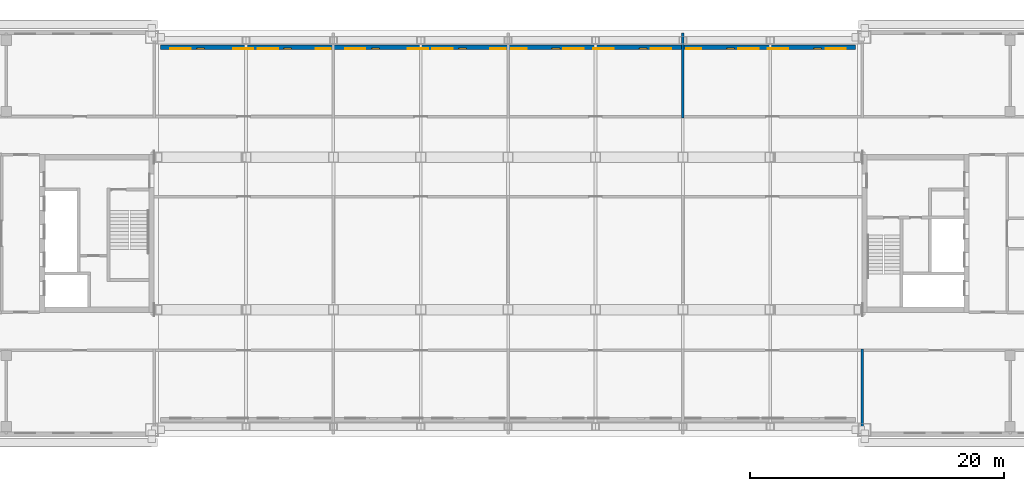
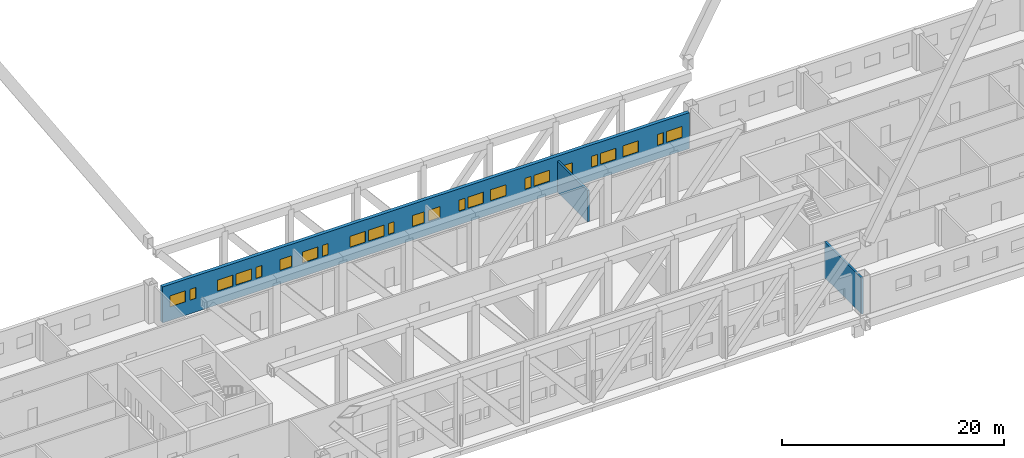
# One storey, part 10 of 17: 24 windows, 3 walls, 24 openings.
"""IFC4 building model written with IfcOpenShell, lengths in metres."""

import ifcopenshell
import ifcopenshell.guid

model = None  # the IFC model being written
_history = None  # IfcOwnerHistory: only IFC2X3 demands one
_inside = {}  # id of a spatial element -> (the spatial element, [elements in it])
_under = {}  # id of a project, library or spatial element -> (it, [spatial elements below it])
_declared = {}  # id of a project -> (the project, [libraries it declares])
_typed = {}  # id of a type object -> (the type object, [elements of that type])
_made_of = {}  # id of a material, layer set ... -> (it, [elements and type objects made of it])


def new_model(schema):
    """Start an empty IFC model of exactly this schema.

    Asked for "IFC4X3", IfcOpenShell would pick the latest addendum, in which some entities
    have other attributes; the version numbers below select the first issue.
    IFC2X3 requires an IfcOwnerHistory on every rooted entity: one is made here for all.
    """
    global model, _history
    if schema == "IFC4X3":
        model = ifcopenshell.file(schema_version=(4, 3, 0, 0))
    else:
        model = ifcopenshell.file(schema=schema)
    _inside.clear()
    _under.clear()
    _declared.clear()
    _typed.clear()
    _made_of.clear()
    _history = None
    if model.schema == "IFC2X3":
        org = make("IfcOrganization", Name="unknown")
        user = make(
            "IfcPersonAndOrganization",
            ThePerson=make("IfcPerson", FamilyName="unknown"),
            TheOrganization=org,
        )
        app = make(
            "IfcApplication",
            ApplicationDeveloper=org,
            Version="unknown",
            ApplicationFullName="unknown",
            ApplicationIdentifier="unknown",
        )
        _history = make(
            "IfcOwnerHistory",
            OwningUser=user,
            OwningApplication=app,
            ChangeAction="ADDED",
            CreationDate=0,
        )
    return model


def make(cls, **values):
    """One entity of the class cls with the attributes given. An attribute that is None is left unset."""
    return model.create_entity(
        cls, **{name: value for name, value in values.items() if value is not None}
    )


def rooted(cls, **values):
    """An entity with a GlobalId (a new one), such as an element, a storey or a relation."""
    return make(cls, GlobalId=ifcopenshell.guid.new(), OwnerHistory=_history, **values)


def si_unit(unit_type, name, prefix=None):
    """IfcSIUnit, for example si_unit("LENGTHUNIT", "METRE", prefix="MILLI")."""
    return make("IfcSIUnit", UnitType=unit_type, Prefix=prefix, Name=name)


def assignment(units):
    """IfcUnitAssignment: the units of a project."""
    return None if units is None else make("IfcUnitAssignment", Units=units)


def point(xyz):
    """IfcCartesianPoint."""
    return None if xyz is None else make("IfcCartesianPoint", Coordinates=xyz)


def direction(xyz):
    """IfcDirection."""
    return None if xyz is None else make("IfcDirection", DirectionRatios=xyz)


def frame(location, z_axis=None, x_axis=None):
    """IfcAxis2Placement3D, a coordinate frame: its origin and axes. An axis left out is left unset."""
    return make(
        "IfcAxis2Placement3D",
        Location=point(location),
        Axis=direction(z_axis),
        RefDirection=direction(x_axis),
    )


def frame_2d(location, x_axis=None):
    """IfcAxis2Placement2D, a coordinate frame in the plane: its origin and x axis."""
    return make(
        "IfcAxis2Placement2D", Location=point(location), RefDirection=direction(x_axis)
    )


def origin():
    """The frame at (0, 0, 0) with its axes left unset."""
    return frame((0.0, 0.0, 0.0))


def place(relative_to, where):
    """IfcLocalPlacement: puts the frame where relative to a parent placement (None: the world)."""
    return make(
        "IfcLocalPlacement", PlacementRelTo=relative_to, RelativePlacement=where
    )


def context(
    kind, dimensions, precision=None, world=None, true_north=None, identifier=None
):
    """IfcGeometricRepresentationContext, for example the 3D "Model" context."""
    return make(
        "IfcGeometricRepresentationContext",
        ContextIdentifier=identifier,
        ContextType=kind,
        CoordinateSpaceDimension=dimensions,
        Precision=precision,
        WorldCoordinateSystem=world,
        TrueNorth=true_north,
    )


def subcontext(parent, identifier, kind, view, scale=None):
    """IfcGeometricRepresentationSubContext, for example "Body" below "Model"."""
    return make(
        "IfcGeometricRepresentationSubContext",
        ContextIdentifier=identifier,
        ContextType=kind,
        ParentContext=parent,
        TargetScale=scale,
        TargetView=view,
    )


def project(units=None, contexts=None):
    """IfcProject with its units and contexts."""
    return rooted(
        "IfcProject",
        Name="project",
        RepresentationContexts=contexts,
        UnitsInContext=assignment(units),
    )


def spatial(cls, under=None, at=None, **own):
    """A site, building, storey or space (cls), placed at a placement, below another one or the project."""
    s = rooted(cls, ObjectPlacement=at, **own)
    if under is not None:
        _under.setdefault(under.id(), (under, []))[1].append(s)
    return s


def profile(cls, at=None, kind="AREA", **sizes):
    """A parametric profile (cls). Its sizes go by their IFC names, for example OverallWidth=200.0."""
    return make(cls, ProfileType=kind, Position=at, **sizes)


def rectangle(**sizes):
    """IfcRectangleProfileDef."""
    return profile("IfcRectangleProfileDef", **sizes)


def extrude(swept, where, along, depth):
    """IfcExtrudedAreaSolid: the profile swept, set in the frame where, extruded along a direction by depth."""
    return make(
        "IfcExtrudedAreaSolid",
        SweptArea=swept,
        Position=where,
        ExtrudedDirection=direction(along),
        Depth=depth,
    )


def shape(context_of_items, identifier, shape_type, items):
    """IfcShapeRepresentation: the items that make up one representation, for example the "Body"."""
    return make(
        "IfcShapeRepresentation",
        ContextOfItems=context_of_items,
        RepresentationIdentifier=identifier,
        RepresentationType=shape_type,
        Items=items,
    )


def material(Name=None, Category=None):
    """IfcMaterial."""
    return make("IfcMaterial", Name=Name, Category=Category)


def layer(
    of_material, thickness, ventilated=None, Name=None, Category=None, Priority=None
):
    """IfcMaterialLayer: one layer of a wall or slab, of a material (None: an air gap)."""
    return make(
        "IfcMaterialLayer",
        Material=of_material,
        LayerThickness=thickness,
        IsVentilated=ventilated,
        Name=Name,
        Category=Category,
        Priority=Priority,
    )


def layer_set(layers, Name=None):
    """IfcMaterialLayerSet."""
    return make("IfcMaterialLayerSet", MaterialLayers=layers, LayerSetName=Name)


def made_of(thing, what):
    """Note that an element or type object is made of a material, layer set ...; save() writes the relation."""
    if what is not None:
        _made_of.setdefault(what.id(), (what, []))[1].append(thing)
    return thing


def type_object(cls, material=None, **own):
    """A type object (cls), such as IfcWallType, which elements share."""
    return made_of(rooted(cls, **own), material)


def element(
    cls,
    number,
    at=None,
    inside=None,
    cuts=None,
    type_object=None,
    material=None,
    context=None,
    identifier="Body",
    shape_type=None,
    held_by="IfcProductDefinitionShape",
    body=None,
    shapes=None,
    **own,
):
    """One element of the class cls, such as IfcWall. Its Tag is "e" and its number.

    at: its placement. inside: the storey or other place that contains it. cuts: it is an
    opening in that element (IfcRelVoidsElement). A single representation is given by context,
    identifier, shape_type and body (its items); several are given by shapes. held_by: the class
    of the entity that holds the representations. save() writes the other relations.
    """
    e = rooted(cls, Tag="e%d" % number, ObjectPlacement=at, **own)
    if body is not None:
        shapes = [shape(context, identifier, shape_type, body)]
    if shapes is not None:
        e.Representation = make(held_by, Representations=shapes)
    if inside is not None:
        _inside.setdefault(inside.id(), (inside, []))[1].append(e)
    if cuts is not None:
        rooted(
            "IfcRelVoidsElement", RelatingBuildingElement=cuts, RelatedOpeningElement=e
        )
    if type_object is not None:
        _typed.setdefault(type_object.id(), (type_object, []))[1].append(e)
    return made_of(e, material)


def fill(opening, filler):
    """IfcRelFillsElement: the door or window that sits in an opening."""
    return rooted(
        "IfcRelFillsElement",
        RelatingOpeningElement=opening,
        RelatedBuildingElement=filler,
    )


def aggregate(whole, parts):
    """IfcRelAggregates: a whole, such as a stair, and the parts it consists of."""
    return rooted("IfcRelAggregates", RelatingObject=whole, RelatedObjects=parts)


def save(model, path):
    """Write the relations noted so far, then the file.

    IfcRelAggregates (storeys below a building ...), IfcRelContainedInSpatialStructure (elements
    in a storey), IfcRelDefinesByType, IfcRelAssociatesMaterial and IfcRelDeclares: one each for
    every whole, place, type object, material and project.
    """
    for whole, parts in _under.values():
        aggregate(whole, parts)
    for where, things in _inside.values():
        rooted(
            "IfcRelContainedInSpatialStructure",
            RelatedElements=things,
            RelatingStructure=where,
        )
    for kind, things in _typed.values():
        rooted("IfcRelDefinesByType", RelatedObjects=things, RelatingType=kind)
    for what, things in _made_of.values():
        rooted("IfcRelAssociatesMaterial", RelatedObjects=things, RelatingMaterial=what)
    for by, libraries in _declared.values():
        rooted("IfcRelDeclares", RelatingContext=by, RelatedDefinitions=libraries)
    model.write(path)


model = new_model("IFC4")

# Units and contexts
model_context = context("Model", 3, precision=1e-05, world=origin(), true_north=direction((0.0, 1.0)))
body_context = subcontext(model_context, "Body", "Model", "MODEL_VIEW")
ifc_project = project(units=[si_unit("LENGTHUNIT", "METRE"), si_unit("AREAUNIT", "SQUARE_METRE"), si_unit("VOLUMEUNIT", "CUBIC_METRE"), si_unit("PLANEANGLEUNIT", "RADIAN"), si_unit("MASSUNIT", "GRAM", prefix="KILO")], contexts=[model_context])

# Site, building, storey
site_placement = place(None, origin())
site = spatial("IfcSite", under=ifc_project, at=site_placement, CompositionType="ELEMENT")
building_placement = place(site_placement, origin())
building = spatial("IfcBuilding", under=site, at=building_placement, Name="Tuart Gate Housing", CompositionType="ELEMENT")
storey_placement = place(building_placement, frame((0.0, 0.0, 194.39990234375)))
storey = spatial("IfcBuildingStorey", under=building, at=storey_placement, Name="L55", CompositionType="ELEMENT", Elevation=194.39990234375)

# Wall, openings, windows
ifc_material_1 = material(Name="Brick", Category="masonry")
ifc_layer_1 = layer(ifc_material_1, 0.360107421875)
ifc_layer_set_1 = layer_set([ifc_layer_1], Name="Brick pier and spandrel wall 360")
wall_type_1 = type_object("IfcWallType", Name="Brick pier and spandrel wall 360", PredefinedType="STANDARD", material=ifc_layer_set_1)
wall_1_placement = place(storey_placement, frame((130.85009765625, 84.659912109375, 0.0), z_axis=(0.0, 0.0, 1.0), x_axis=(-1.0, 0.0, 0.0)))
wall_1 = element("IfcWall", 1, at=wall_1_placement, inside=storey, type_object=wall_type_1, Name="External wall BLK-N L55", PredefinedType="STANDARD", context=body_context, shape_type="SweptSolid", body=[
    extrude(rectangle(XDim=54.7001953125, YDim=0.360107421875, at=frame_2d((27.35009765625, 0.0))), origin(), (0.0, 0.0, 1.0), 3.9501953125),
])
opening_1_placement = place(wall_1_placement, frame((0.768798828125, 0.0, 1.5)))
opening_1 = element("IfcOpeningElement", 2, at=opening_1_placement, cuts=wall_1, Name="Opening W3", PredefinedType="OPENING", context=body_context, shape_type="SweptSolid", body=[
    extrude(rectangle(XDim=1.60009765625, YDim=1.199951171875, at=frame_2d((0.800048828125, 0.60009765625))), frame((0.0, 0.18994140625, 0.0), z_axis=(0.0, -1.0, 0.0), x_axis=(1.0, 0.0, 0.0)), (0.0, 0.0, 1.0), 0.380126953125),
])
opening_2_placement = place(wall_1_placement, frame((2.699951171875, 0.0, 1.5)))
opening_2 = element("IfcOpeningElement", 3, at=opening_2_placement, cuts=wall_1, Name="Opening W3C", PredefinedType="OPENING", context=body_context, shape_type="SweptSolid", body=[
    extrude(rectangle(XDim=0.60009765625, YDim=1.199951171875, at=frame_2d((0.300048828125, 0.60009765625))), frame((0.0, 0.18994140625, 0.0), z_axis=(0.0, -1.0, 0.0), x_axis=(1.0, 0.0, 0.0)), (0.0, 0.0, 1.0), 0.380126953125),
])
opening_3_placement = place(wall_1_placement, frame((7.643798828125, 0.0, 1.5)))
opening_3 = element("IfcOpeningElement", 4, at=opening_3_placement, cuts=wall_1, Name="Opening W3", PredefinedType="OPENING", context=body_context, shape_type="SweptSolid", body=[
    extrude(rectangle(XDim=1.60009765625, YDim=1.199951171875, at=frame_2d((0.800048828125, 0.60009765625))), frame((0.0, 0.18994140625, 0.0), z_axis=(0.0, -1.0, 0.0), x_axis=(1.0, 0.0, 0.0)), (0.0, 0.0, 1.0), 0.380126953125),
])
opening_4_placement = place(wall_1_placement, frame((5.300048828125, 0.0, 1.5)))
opening_4 = element("IfcOpeningElement", 5, at=opening_4_placement, cuts=wall_1, Name="Opening W3", PredefinedType="OPENING", context=body_context, shape_type="SweptSolid", body=[
    extrude(rectangle(XDim=1.60009765625, YDim=1.199951171875, at=frame_2d((0.800048828125, 0.60009765625))), frame((0.0, 0.18994140625, 0.0), z_axis=(0.0, -1.0, 0.0), x_axis=(1.0, 0.0, 0.0)), (0.0, 0.0, 1.0), 0.380126953125),
])
opening_5_placement = place(wall_1_placement, frame((14.518798828125, 0.0, 1.5)))
opening_5 = element("IfcOpeningElement", 6, at=opening_5_placement, cuts=wall_1, Name="Opening W3", PredefinedType="OPENING", context=body_context, shape_type="SweptSolid", body=[
    extrude(rectangle(XDim=1.60009765625, YDim=1.199951171875, at=frame_2d((0.800048828125, 0.60009765625))), frame((0.0, 0.18994140625, 0.0), z_axis=(0.0, -1.0, 0.0), x_axis=(1.0, 0.0, 0.0)), (0.0, 0.0, 1.0), 0.380126953125),
])
opening_6_placement = place(wall_1_placement, frame((16.449951171875, 0.0, 1.5)))
opening_6 = element("IfcOpeningElement", 7, at=opening_6_placement, cuts=wall_1, Name="Opening W3C", PredefinedType="OPENING", context=body_context, shape_type="SweptSolid", body=[
    extrude(rectangle(XDim=0.60009765625, YDim=1.199951171875, at=frame_2d((0.300048828125, 0.60009765625))), frame((0.0, 0.18994140625, 0.0), z_axis=(0.0, -1.0, 0.0), x_axis=(1.0, 0.0, 0.0)), (0.0, 0.0, 1.0), 0.380126953125),
])
opening_7_placement = place(wall_1_placement, frame((21.393798828125, 0.0, 1.5)))
opening_7 = element("IfcOpeningElement", 8, at=opening_7_placement, cuts=wall_1, Name="Opening W3", PredefinedType="OPENING", context=body_context, shape_type="SweptSolid", body=[
    extrude(rectangle(XDim=1.60009765625, YDim=1.199951171875, at=frame_2d((0.800048828125, 0.60009765625))), frame((0.0, 0.18994140625, 0.0), z_axis=(0.0, -1.0, 0.0), x_axis=(1.0, 0.0, 0.0)), (0.0, 0.0, 1.0), 0.380126953125),
])
opening_8_placement = place(wall_1_placement, frame((19.050048828125, 0.0, 1.5)))
opening_8 = element("IfcOpeningElement", 9, at=opening_8_placement, cuts=wall_1, Name="Opening W3", PredefinedType="OPENING", context=body_context, shape_type="SweptSolid", body=[
    extrude(rectangle(XDim=1.60009765625, YDim=1.199951171875, at=frame_2d((0.800048828125, 0.60009765625))), frame((0.0, 0.18994140625, 0.0), z_axis=(0.0, -1.0, 0.0), x_axis=(1.0, 0.0, 0.0)), (0.0, 0.0, 1.0), 0.380126953125),
])
opening_9_placement = place(wall_1_placement, frame((27.550048828125, 0.0, 1.5)))
opening_9 = element("IfcOpeningElement", 10, at=opening_9_placement, cuts=wall_1, Name="Opening W3A", PredefinedType="OPENING", context=body_context, shape_type="SweptSolid", body=[
    extrude(rectangle(XDim=1.199951171875, YDim=1.199951171875, at=frame_2d((0.60009765625, 0.60009765625))), frame((0.0, 0.18994140625, 0.0), z_axis=(0.0, -1.0, 0.0), x_axis=(1.0, 0.0, 0.0)), (0.0, 0.0, 1.0), 0.380126953125),
])
opening_10_placement = place(wall_1_placement, frame((31.706298828125, 0.0, 1.5)))
opening_10 = element("IfcOpeningElement", 11, at=opening_10_placement, cuts=wall_1, Name="Opening W3", PredefinedType="OPENING", context=body_context, shape_type="SweptSolid", body=[
    extrude(rectangle(XDim=1.60009765625, YDim=1.199951171875, at=frame_2d((0.800048828125, 0.60009765625))), frame((0.0, 0.18994140625, 0.0), z_axis=(0.0, -1.0, 0.0), x_axis=(1.0, 0.0, 0.0)), (0.0, 0.0, 1.0), 0.380126953125),
])
opening_11_placement = place(wall_1_placement, frame((30.64990234375, 0.0, 1.5)))
opening_11 = element("IfcOpeningElement", 12, at=opening_11_placement, cuts=wall_1, Name="Opening W3C", PredefinedType="OPENING", context=body_context, shape_type="SweptSolid", body=[
    extrude(rectangle(XDim=0.60009765625, YDim=1.199951171875, at=frame_2d((0.300048828125, 0.60009765625))), frame((0.0, 0.18994140625, 0.0), z_axis=(0.0, -1.0, 0.0), x_axis=(1.0, 0.0, 0.0)), (0.0, 0.0, 1.0), 0.380126953125),
])
opening_12_placement = place(wall_1_placement, frame((38.581298828125, 0.0, 1.5)))
opening_12 = element("IfcOpeningElement", 13, at=opening_12_placement, cuts=wall_1, Name="Opening W3", PredefinedType="OPENING", context=body_context, shape_type="SweptSolid", body=[
    extrude(rectangle(XDim=1.60009765625, YDim=1.199951171875, at=frame_2d((0.800048828125, 0.60009765625))), frame((0.0, 0.18994140625, 0.0), z_axis=(0.0, -1.0, 0.0), x_axis=(1.0, 0.0, 0.0)), (0.0, 0.0, 1.0), 0.380126953125),
])
opening_13_placement = place(wall_1_placement, frame((41.300048828125, 0.0, 1.5)))
opening_13 = element("IfcOpeningElement", 14, at=opening_13_placement, cuts=wall_1, Name="Opening W3A", PredefinedType="OPENING", context=body_context, shape_type="SweptSolid", body=[
    extrude(rectangle(XDim=1.199951171875, YDim=1.199951171875, at=frame_2d((0.60009765625, 0.60009765625))), frame((0.0, 0.18994140625, 0.0), z_axis=(0.0, -1.0, 0.0), x_axis=(1.0, 0.0, 0.0)), (0.0, 0.0, 1.0), 0.380126953125),
])
opening_14_placement = place(wall_1_placement, frame((45.456298828125, 0.0, 1.5)))
opening_14 = element("IfcOpeningElement", 15, at=opening_14_placement, cuts=wall_1, Name="Opening W3", PredefinedType="OPENING", context=body_context, shape_type="SweptSolid", body=[
    extrude(rectangle(XDim=1.60009765625, YDim=1.199951171875, at=frame_2d((0.800048828125, 0.60009765625))), frame((0.0, 0.18994140625, 0.0), z_axis=(0.0, -1.0, 0.0), x_axis=(1.0, 0.0, 0.0)), (0.0, 0.0, 1.0), 0.380126953125),
])
opening_15_placement = place(wall_1_placement, frame((44.39990234375, 0.0, 1.5)))
opening_15 = element("IfcOpeningElement", 16, at=opening_15_placement, cuts=wall_1, Name="Opening W3C", PredefinedType="OPENING", context=body_context, shape_type="SweptSolid", body=[
    extrude(rectangle(XDim=0.60009765625, YDim=1.199951171875, at=frame_2d((0.300048828125, 0.60009765625))), frame((0.0, 0.18994140625, 0.0), z_axis=(0.0, -1.0, 0.0), x_axis=(1.0, 0.0, 0.0)), (0.0, 0.0, 1.0), 0.380126953125),
])
opening_16_placement = place(wall_1_placement, frame((52.331298828125, 0.0, 1.5)))
opening_16 = element("IfcOpeningElement", 17, at=opening_16_placement, cuts=wall_1, Name="Opening W3", PredefinedType="OPENING", context=body_context, shape_type="SweptSolid", body=[
    extrude(rectangle(XDim=1.60009765625, YDim=1.199951171875, at=frame_2d((0.800048828125, 0.60009765625))), frame((0.0, 0.18994140625, 0.0), z_axis=(0.0, -1.0, 0.0), x_axis=(1.0, 0.0, 0.0)), (0.0, 0.0, 1.0), 0.380126953125),
])
opening_17_placement = place(wall_1_placement, frame((9.550048828125, 0.0, 1.5)))
opening_17 = element("IfcOpeningElement", 18, at=opening_17_placement, cuts=wall_1, Name="Opening W3C", PredefinedType="OPENING", context=body_context, shape_type="SweptSolid", body=[
    extrude(rectangle(XDim=0.60009765625, YDim=1.199951171875, at=frame_2d((0.300048828125, 0.60009765625))), frame((0.0, 0.18994140625, 0.0), z_axis=(0.0, -1.0, 0.0), x_axis=(1.0, 0.0, 0.0)), (0.0, 0.0, 1.0), 0.380126953125),
])
opening_18_placement = place(wall_1_placement, frame((12.14990234375, 0.0, 1.5)))
opening_18 = element("IfcOpeningElement", 19, at=opening_18_placement, cuts=wall_1, Name="Opening W3A", PredefinedType="OPENING", context=body_context, shape_type="SweptSolid", body=[
    extrude(rectangle(XDim=1.199951171875, YDim=1.199951171875, at=frame_2d((0.60009765625, 0.60009765625))), frame((0.0, 0.18994140625, 0.0), z_axis=(0.0, -1.0, 0.0), x_axis=(1.0, 0.0, 0.0)), (0.0, 0.0, 1.0), 0.380126953125),
])
opening_19_placement = place(wall_1_placement, frame((23.300048828125, 0.0, 1.5)))
opening_19 = element("IfcOpeningElement", 20, at=opening_19_placement, cuts=wall_1, Name="Opening W3C", PredefinedType="OPENING", context=body_context, shape_type="SweptSolid", body=[
    extrude(rectangle(XDim=0.60009765625, YDim=1.199951171875, at=frame_2d((0.300048828125, 0.60009765625))), frame((0.0, 0.18994140625, 0.0), z_axis=(0.0, -1.0, 0.0), x_axis=(1.0, 0.0, 0.0)), (0.0, 0.0, 1.0), 0.380126953125),
])
opening_20_placement = place(wall_1_placement, frame((25.89990234375, 0.0, 1.5)))
opening_20 = element("IfcOpeningElement", 21, at=opening_20_placement, cuts=wall_1, Name="Opening W3A", PredefinedType="OPENING", context=body_context, shape_type="SweptSolid", body=[
    extrude(rectangle(XDim=1.199951171875, YDim=1.199951171875, at=frame_2d((0.60009765625, 0.60009765625))), frame((0.0, 0.18994140625, 0.0), z_axis=(0.0, -1.0, 0.0), x_axis=(1.0, 0.0, 0.0)), (0.0, 0.0, 1.0), 0.380126953125),
])
opening_21_placement = place(wall_1_placement, frame((33.64990234375, 0.0, 1.5)))
opening_21 = element("IfcOpeningElement", 22, at=opening_21_placement, cuts=wall_1, Name="Opening W3", PredefinedType="OPENING", context=body_context, shape_type="SweptSolid", body=[
    extrude(rectangle(XDim=1.60009765625, YDim=1.199951171875, at=frame_2d((0.800048828125, 0.60009765625))), frame((0.0, 0.18994140625, 0.0), z_axis=(0.0, -1.0, 0.0), x_axis=(1.0, 0.0, 0.0)), (0.0, 0.0, 1.0), 0.380126953125),
])
opening_22_placement = place(wall_1_placement, frame((37.5, 0.0, 1.5)))
opening_22 = element("IfcOpeningElement", 23, at=opening_22_placement, cuts=wall_1, Name="Opening W3C", PredefinedType="OPENING", context=body_context, shape_type="SweptSolid", body=[
    extrude(rectangle(XDim=0.60009765625, YDim=1.199951171875, at=frame_2d((0.300048828125, 0.60009765625))), frame((0.0, 0.18994140625, 0.0), z_axis=(0.0, -1.0, 0.0), x_axis=(1.0, 0.0, 0.0)), (0.0, 0.0, 1.0), 0.380126953125),
])
opening_23_placement = place(wall_1_placement, frame((47.39990234375, 0.0, 1.5)))
opening_23 = element("IfcOpeningElement", 24, at=opening_23_placement, cuts=wall_1, Name="Opening W3", PredefinedType="OPENING", context=body_context, shape_type="SweptSolid", body=[
    extrude(rectangle(XDim=1.60009765625, YDim=1.199951171875, at=frame_2d((0.800048828125, 0.60009765625))), frame((0.0, 0.18994140625, 0.0), z_axis=(0.0, -1.0, 0.0), x_axis=(1.0, 0.0, 0.0)), (0.0, 0.0, 1.0), 0.380126953125),
])
opening_24_placement = place(wall_1_placement, frame((51.25, 0.0, 1.5)))
opening_24 = element("IfcOpeningElement", 25, at=opening_24_placement, cuts=wall_1, Name="Opening W3C", PredefinedType="OPENING", context=body_context, shape_type="SweptSolid", body=[
    extrude(rectangle(XDim=0.60009765625, YDim=1.199951171875, at=frame_2d((0.300048828125, 0.60009765625))), frame((0.0, 0.18994140625, 0.0), z_axis=(0.0, -1.0, 0.0), x_axis=(1.0, 0.0, 0.0)), (0.0, 0.0, 1.0), 0.380126953125),
])
ifc_material_2 = material(Name="Aluminium louvre blades", Category="aluminium")
window_type_1 = type_object("IfcWindowType", Name="Louvre window 1200 x 1200", PartitioningType="DOUBLE_PANEL_HORIZONTAL", PredefinedType="WINDOW", material=ifc_material_2)
window_1_placement = place(opening_9_placement, origin())
window_1 = element("IfcWindow", 26, at=window_1_placement, inside=storey, type_object=window_type_1, Name="Louvre W3A", OverallHeight=1.199951171875, OverallWidth=1.199951171875, PartitioningType="DOUBLE_PANEL_HORIZONTAL", PredefinedType="WINDOW", context=body_context, shape_type="SweptSolid", body=[
    extrude(rectangle(XDim=1.199951171875, YDim=1.199951171875, at=frame_2d((0.60009765625, 0.60009765625))), frame((0.0, 0.150146484375, 0.0), z_axis=(0.0, -1.0, 0.0), x_axis=(1.0, 0.0, 0.0)), (0.0, 0.0, 1.0), 0.06005859375),
])
fill(opening_9, window_1)
window_2_placement = place(opening_13_placement, origin())
window_2 = element("IfcWindow", 27, at=window_2_placement, inside=storey, type_object=window_type_1, Name="Louvre W3A", OverallHeight=1.199951171875, OverallWidth=1.199951171875, PartitioningType="DOUBLE_PANEL_HORIZONTAL", PredefinedType="WINDOW", context=body_context, shape_type="SweptSolid", body=[
    extrude(rectangle(XDim=1.199951171875, YDim=1.199951171875, at=frame_2d((0.60009765625, 0.60009765625))), frame((0.0, 0.150146484375, 0.0), z_axis=(0.0, -1.0, 0.0), x_axis=(1.0, 0.0, 0.0)), (0.0, 0.0, 1.0), 0.06005859375),
])
fill(opening_13, window_2)
window_3_placement = place(opening_18_placement, origin())
window_3 = element("IfcWindow", 28, at=window_3_placement, inside=storey, type_object=window_type_1, Name="Louvre W3A", OverallHeight=1.199951171875, OverallWidth=1.199951171875, PartitioningType="DOUBLE_PANEL_HORIZONTAL", PredefinedType="WINDOW", context=body_context, shape_type="SweptSolid", body=[
    extrude(rectangle(XDim=1.199951171875, YDim=1.199951171875, at=frame_2d((0.60009765625, 0.60009765625))), frame((0.0, 0.150146484375, 0.0), z_axis=(0.0, -1.0, 0.0), x_axis=(1.0, 0.0, 0.0)), (0.0, 0.0, 1.0), 0.06005859375),
])
fill(opening_18, window_3)
window_4_placement = place(opening_20_placement, origin())
window_4 = element("IfcWindow", 29, at=window_4_placement, inside=storey, type_object=window_type_1, Name="Louvre W3A", OverallHeight=1.199951171875, OverallWidth=1.199951171875, PartitioningType="DOUBLE_PANEL_HORIZONTAL", PredefinedType="WINDOW", context=body_context, shape_type="SweptSolid", body=[
    extrude(rectangle(XDim=1.199951171875, YDim=1.199951171875, at=frame_2d((0.60009765625, 0.60009765625))), frame((0.0, 0.150146484375, 0.0), z_axis=(0.0, -1.0, 0.0), x_axis=(1.0, 0.0, 0.0)), (0.0, 0.0, 1.0), 0.06005859375),
])
fill(opening_20, window_4)
ifc_material_3 = material(Name="Aluminium louvre blades", Category="aluminium")
window_type_2 = type_object("IfcWindowType", Name="Louvre window 1600 x 1200", PartitioningType="DOUBLE_PANEL_HORIZONTAL", PredefinedType="WINDOW", material=ifc_material_3)
window_5_placement = place(opening_1_placement, origin())
window_5 = element("IfcWindow", 30, at=window_5_placement, inside=storey, type_object=window_type_2, Name="Louvre W3", OverallHeight=1.199951171875, OverallWidth=1.60009765625, PartitioningType="DOUBLE_PANEL_HORIZONTAL", PredefinedType="WINDOW", context=body_context, shape_type="SweptSolid", body=[
    extrude(rectangle(XDim=1.60009765625, YDim=1.199951171875, at=frame_2d((0.800048828125, 0.60009765625))), frame((0.0, 0.150146484375, 0.0), z_axis=(0.0, -1.0, 0.0), x_axis=(1.0, 0.0, 0.0)), (0.0, 0.0, 1.0), 0.06005859375),
])
fill(opening_1, window_5)
window_6_placement = place(opening_3_placement, origin())
window_6 = element("IfcWindow", 31, at=window_6_placement, inside=storey, type_object=window_type_2, Name="Louvre W3", OverallHeight=1.199951171875, OverallWidth=1.60009765625, PartitioningType="DOUBLE_PANEL_HORIZONTAL", PredefinedType="WINDOW", context=body_context, shape_type="SweptSolid", body=[
    extrude(rectangle(XDim=1.60009765625, YDim=1.199951171875, at=frame_2d((0.800048828125, 0.60009765625))), frame((0.0, 0.150146484375, 0.0), z_axis=(0.0, -1.0, 0.0), x_axis=(1.0, 0.0, 0.0)), (0.0, 0.0, 1.0), 0.06005859375),
])
fill(opening_3, window_6)
window_7_placement = place(opening_4_placement, origin())
window_7 = element("IfcWindow", 32, at=window_7_placement, inside=storey, type_object=window_type_2, Name="Louvre W3", OverallHeight=1.199951171875, OverallWidth=1.60009765625, PartitioningType="DOUBLE_PANEL_HORIZONTAL", PredefinedType="WINDOW", context=body_context, shape_type="SweptSolid", body=[
    extrude(rectangle(XDim=1.60009765625, YDim=1.199951171875, at=frame_2d((0.800048828125, 0.60009765625))), frame((0.0, 0.150146484375, 0.0), z_axis=(0.0, -1.0, 0.0), x_axis=(1.0, 0.0, 0.0)), (0.0, 0.0, 1.0), 0.06005859375),
])
fill(opening_4, window_7)
window_8_placement = place(opening_5_placement, origin())
window_8 = element("IfcWindow", 33, at=window_8_placement, inside=storey, type_object=window_type_2, Name="Louvre W3", OverallHeight=1.199951171875, OverallWidth=1.60009765625, PartitioningType="DOUBLE_PANEL_HORIZONTAL", PredefinedType="WINDOW", context=body_context, shape_type="SweptSolid", body=[
    extrude(rectangle(XDim=1.60009765625, YDim=1.199951171875, at=frame_2d((0.800048828125, 0.60009765625))), frame((0.0, 0.150146484375, 0.0), z_axis=(0.0, -1.0, 0.0), x_axis=(1.0, 0.0, 0.0)), (0.0, 0.0, 1.0), 0.06005859375),
])
fill(opening_5, window_8)
window_9_placement = place(opening_7_placement, origin())
window_9 = element("IfcWindow", 34, at=window_9_placement, inside=storey, type_object=window_type_2, Name="Louvre W3", OverallHeight=1.199951171875, OverallWidth=1.60009765625, PartitioningType="DOUBLE_PANEL_HORIZONTAL", PredefinedType="WINDOW", context=body_context, shape_type="SweptSolid", body=[
    extrude(rectangle(XDim=1.60009765625, YDim=1.199951171875, at=frame_2d((0.800048828125, 0.60009765625))), frame((0.0, 0.150146484375, 0.0), z_axis=(0.0, -1.0, 0.0), x_axis=(1.0, 0.0, 0.0)), (0.0, 0.0, 1.0), 0.06005859375),
])
fill(opening_7, window_9)
window_10_placement = place(opening_8_placement, origin())
window_10 = element("IfcWindow", 35, at=window_10_placement, inside=storey, type_object=window_type_2, Name="Louvre W3", OverallHeight=1.199951171875, OverallWidth=1.60009765625, PartitioningType="DOUBLE_PANEL_HORIZONTAL", PredefinedType="WINDOW", context=body_context, shape_type="SweptSolid", body=[
    extrude(rectangle(XDim=1.60009765625, YDim=1.199951171875, at=frame_2d((0.800048828125, 0.60009765625))), frame((0.0, 0.150146484375, 0.0), z_axis=(0.0, -1.0, 0.0), x_axis=(1.0, 0.0, 0.0)), (0.0, 0.0, 1.0), 0.06005859375),
])
fill(opening_8, window_10)
window_11_placement = place(opening_10_placement, origin())
window_11 = element("IfcWindow", 36, at=window_11_placement, inside=storey, type_object=window_type_2, Name="Louvre W3", OverallHeight=1.199951171875, OverallWidth=1.60009765625, PartitioningType="DOUBLE_PANEL_HORIZONTAL", PredefinedType="WINDOW", context=body_context, shape_type="SweptSolid", body=[
    extrude(rectangle(XDim=1.60009765625, YDim=1.199951171875, at=frame_2d((0.800048828125, 0.60009765625))), frame((0.0, 0.150146484375, 0.0), z_axis=(0.0, -1.0, 0.0), x_axis=(1.0, 0.0, 0.0)), (0.0, 0.0, 1.0), 0.06005859375),
])
fill(opening_10, window_11)
window_12_placement = place(opening_12_placement, origin())
window_12 = element("IfcWindow", 37, at=window_12_placement, inside=storey, type_object=window_type_2, Name="Louvre W3", OverallHeight=1.199951171875, OverallWidth=1.60009765625, PartitioningType="DOUBLE_PANEL_HORIZONTAL", PredefinedType="WINDOW", context=body_context, shape_type="SweptSolid", body=[
    extrude(rectangle(XDim=1.60009765625, YDim=1.199951171875, at=frame_2d((0.800048828125, 0.60009765625))), frame((0.0, 0.150146484375, 0.0), z_axis=(0.0, -1.0, 0.0), x_axis=(1.0, 0.0, 0.0)), (0.0, 0.0, 1.0), 0.06005859375),
])
fill(opening_12, window_12)
window_13_placement = place(opening_14_placement, origin())
window_13 = element("IfcWindow", 38, at=window_13_placement, inside=storey, type_object=window_type_2, Name="Louvre W3", OverallHeight=1.199951171875, OverallWidth=1.60009765625, PartitioningType="DOUBLE_PANEL_HORIZONTAL", PredefinedType="WINDOW", context=body_context, shape_type="SweptSolid", body=[
    extrude(rectangle(XDim=1.60009765625, YDim=1.199951171875, at=frame_2d((0.800048828125, 0.60009765625))), frame((0.0, 0.150146484375, 0.0), z_axis=(0.0, -1.0, 0.0), x_axis=(1.0, 0.0, 0.0)), (0.0, 0.0, 1.0), 0.06005859375),
])
fill(opening_14, window_13)
window_14_placement = place(opening_16_placement, origin())
window_14 = element("IfcWindow", 39, at=window_14_placement, inside=storey, type_object=window_type_2, Name="Louvre W3", OverallHeight=1.199951171875, OverallWidth=1.60009765625, PartitioningType="DOUBLE_PANEL_HORIZONTAL", PredefinedType="WINDOW", context=body_context, shape_type="SweptSolid", body=[
    extrude(rectangle(XDim=1.60009765625, YDim=1.199951171875, at=frame_2d((0.800048828125, 0.60009765625))), frame((0.0, 0.150146484375, 0.0), z_axis=(0.0, -1.0, 0.0), x_axis=(1.0, 0.0, 0.0)), (0.0, 0.0, 1.0), 0.06005859375),
])
fill(opening_16, window_14)
window_15_placement = place(opening_21_placement, origin())
window_15 = element("IfcWindow", 40, at=window_15_placement, inside=storey, type_object=window_type_2, Name="Louvre W3", OverallHeight=1.199951171875, OverallWidth=1.60009765625, PartitioningType="DOUBLE_PANEL_HORIZONTAL", PredefinedType="WINDOW", context=body_context, shape_type="SweptSolid", body=[
    extrude(rectangle(XDim=1.60009765625, YDim=1.199951171875, at=frame_2d((0.800048828125, 0.60009765625))), frame((0.0, 0.150146484375, 0.0), z_axis=(0.0, -1.0, 0.0), x_axis=(1.0, 0.0, 0.0)), (0.0, 0.0, 1.0), 0.06005859375),
])
fill(opening_21, window_15)
window_16_placement = place(opening_23_placement, origin())
window_16 = element("IfcWindow", 41, at=window_16_placement, inside=storey, type_object=window_type_2, Name="Louvre W3", OverallHeight=1.199951171875, OverallWidth=1.60009765625, PartitioningType="DOUBLE_PANEL_HORIZONTAL", PredefinedType="WINDOW", context=body_context, shape_type="SweptSolid", body=[
    extrude(rectangle(XDim=1.60009765625, YDim=1.199951171875, at=frame_2d((0.800048828125, 0.60009765625))), frame((0.0, 0.150146484375, 0.0), z_axis=(0.0, -1.0, 0.0), x_axis=(1.0, 0.0, 0.0)), (0.0, 0.0, 1.0), 0.06005859375),
])
fill(opening_23, window_16)
ifc_material_4 = material(Name="Aluminium louvre blades", Category="aluminium")
window_type_3 = type_object("IfcWindowType", Name="Louvre window 600 x 1200", PartitioningType="DOUBLE_PANEL_HORIZONTAL", PredefinedType="WINDOW", material=ifc_material_4)
window_17_placement = place(opening_2_placement, origin())
window_17 = element("IfcWindow", 42, at=window_17_placement, inside=storey, type_object=window_type_3, Name="Louvre W3C", OverallHeight=1.199951171875, OverallWidth=0.60009765625, PartitioningType="DOUBLE_PANEL_HORIZONTAL", PredefinedType="WINDOW", context=body_context, shape_type="SweptSolid", body=[
    extrude(rectangle(XDim=0.60009765625, YDim=1.199951171875, at=frame_2d((0.300048828125, 0.60009765625))), frame((0.0, 0.150146484375, 0.0), z_axis=(0.0, -1.0, 0.0), x_axis=(1.0, 0.0, 0.0)), (0.0, 0.0, 1.0), 0.06005859375),
])
fill(opening_2, window_17)
window_18_placement = place(opening_6_placement, origin())
window_18 = element("IfcWindow", 43, at=window_18_placement, inside=storey, type_object=window_type_3, Name="Louvre W3C", OverallHeight=1.199951171875, OverallWidth=0.60009765625, PartitioningType="DOUBLE_PANEL_HORIZONTAL", PredefinedType="WINDOW", context=body_context, shape_type="SweptSolid", body=[
    extrude(rectangle(XDim=0.60009765625, YDim=1.199951171875, at=frame_2d((0.300048828125, 0.60009765625))), frame((0.0, 0.150146484375, 0.0), z_axis=(0.0, -1.0, 0.0), x_axis=(1.0, 0.0, 0.0)), (0.0, 0.0, 1.0), 0.06005859375),
])
fill(opening_6, window_18)
window_19_placement = place(opening_11_placement, origin())
window_19 = element("IfcWindow", 44, at=window_19_placement, inside=storey, type_object=window_type_3, Name="Louvre W3C", OverallHeight=1.199951171875, OverallWidth=0.60009765625, PartitioningType="DOUBLE_PANEL_HORIZONTAL", PredefinedType="WINDOW", context=body_context, shape_type="SweptSolid", body=[
    extrude(rectangle(XDim=0.60009765625, YDim=1.199951171875, at=frame_2d((0.300048828125, 0.60009765625))), frame((0.0, 0.150146484375, 0.0), z_axis=(0.0, -1.0, 0.0), x_axis=(1.0, 0.0, 0.0)), (0.0, 0.0, 1.0), 0.06005859375),
])
fill(opening_11, window_19)
window_20_placement = place(opening_15_placement, origin())
window_20 = element("IfcWindow", 45, at=window_20_placement, inside=storey, type_object=window_type_3, Name="Louvre W3C", OverallHeight=1.199951171875, OverallWidth=0.60009765625, PartitioningType="DOUBLE_PANEL_HORIZONTAL", PredefinedType="WINDOW", context=body_context, shape_type="SweptSolid", body=[
    extrude(rectangle(XDim=0.60009765625, YDim=1.199951171875, at=frame_2d((0.300048828125, 0.60009765625))), frame((0.0, 0.150146484375, 0.0), z_axis=(0.0, -1.0, 0.0), x_axis=(1.0, 0.0, 0.0)), (0.0, 0.0, 1.0), 0.06005859375),
])
fill(opening_15, window_20)
window_21_placement = place(opening_17_placement, origin())
window_21 = element("IfcWindow", 46, at=window_21_placement, inside=storey, type_object=window_type_3, Name="Louvre W3C", OverallHeight=1.199951171875, OverallWidth=0.60009765625, PartitioningType="DOUBLE_PANEL_HORIZONTAL", PredefinedType="WINDOW", context=body_context, shape_type="SweptSolid", body=[
    extrude(rectangle(XDim=0.60009765625, YDim=1.199951171875, at=frame_2d((0.300048828125, 0.60009765625))), frame((0.0, 0.150146484375, 0.0), z_axis=(0.0, -1.0, 0.0), x_axis=(1.0, 0.0, 0.0)), (0.0, 0.0, 1.0), 0.06005859375),
])
fill(opening_17, window_21)
window_22_placement = place(opening_19_placement, origin())
window_22 = element("IfcWindow", 47, at=window_22_placement, inside=storey, type_object=window_type_3, Name="Louvre W3C", OverallHeight=1.199951171875, OverallWidth=0.60009765625, PartitioningType="DOUBLE_PANEL_HORIZONTAL", PredefinedType="WINDOW", context=body_context, shape_type="SweptSolid", body=[
    extrude(rectangle(XDim=0.60009765625, YDim=1.199951171875, at=frame_2d((0.300048828125, 0.60009765625))), frame((0.0, 0.150146484375, 0.0), z_axis=(0.0, -1.0, 0.0), x_axis=(1.0, 0.0, 0.0)), (0.0, 0.0, 1.0), 0.06005859375),
])
fill(opening_19, window_22)
window_23_placement = place(opening_22_placement, origin())
window_23 = element("IfcWindow", 48, at=window_23_placement, inside=storey, type_object=window_type_3, Name="Louvre W3C", OverallHeight=1.199951171875, OverallWidth=0.60009765625, PartitioningType="DOUBLE_PANEL_HORIZONTAL", PredefinedType="WINDOW", context=body_context, shape_type="SweptSolid", body=[
    extrude(rectangle(XDim=0.60009765625, YDim=1.199951171875, at=frame_2d((0.300048828125, 0.60009765625))), frame((0.0, 0.150146484375, 0.0), z_axis=(0.0, -1.0, 0.0), x_axis=(1.0, 0.0, 0.0)), (0.0, 0.0, 1.0), 0.06005859375),
])
fill(opening_22, window_23)
window_24_placement = place(opening_24_placement, origin())
window_24 = element("IfcWindow", 49, at=window_24_placement, inside=storey, type_object=window_type_3, Name="Louvre W3C", OverallHeight=1.199951171875, OverallWidth=0.60009765625, PartitioningType="DOUBLE_PANEL_HORIZONTAL", PredefinedType="WINDOW", context=body_context, shape_type="SweptSolid", body=[
    extrude(rectangle(XDim=0.60009765625, YDim=1.199951171875, at=frame_2d((0.300048828125, 0.60009765625))), frame((0.0, 0.150146484375, 0.0), z_axis=(0.0, -1.0, 0.0), x_axis=(1.0, 0.0, 0.0)), (0.0, 0.0, 1.0), 0.06005859375),
])
fill(opening_24, window_24)

# Walls
ifc_material_5 = material(Name="Concrete masonry 15 MPa", Category="masonry")
ifc_layer_2 = layer(ifc_material_5, 0.199951171875)
ifc_layer_set_2 = layer_set([ifc_layer_2], Name="Enclosure wall masonry 200")
wall_type_2 = type_object("IfcWallType", Name="Enclosure wall masonry 200", PredefinedType="PARTITIONING", material=ifc_layer_set_2)
wall_2_placement = place(storey_placement, frame((117.25, 79.10009765625, 0.0), z_axis=(0.0, 0.0, 1.0), x_axis=(0.0, 1.0, 0.0)))
element("IfcWall", 50, at=wall_2_placement, inside=storey, type_object=wall_type_2, Name="Enclosure wall masonry 200", PredefinedType="PARTITIONING", context=body_context, shape_type="SweptSolid", body=[
    extrude(rectangle(XDim=6.659912109375, YDim=0.199951171875, at=frame_2d((3.330078125, 0.0))), origin(), (0.0, 0.0, 1.0), 3.4169921875),
])
wall_3_placement = place(storey_placement, frame((131.360107421875, 54.239990234375, 0.0), z_axis=(0.0, 0.0, 1.0), x_axis=(0.0, 1.0, 0.0)))
element("IfcWall", 51, at=wall_3_placement, inside=storey, type_object=wall_type_2, Name="Enclosure wall masonry 200", PredefinedType="PARTITIONING", context=body_context, shape_type="SweptSolid", body=[
    extrude(rectangle(XDim=6.659912109375, YDim=0.199951171875, at=frame_2d((3.330078125, 0.0))), origin(), (0.0, 0.0, 1.0), 3.9501953125),
])

save(model, "model.ifc")
